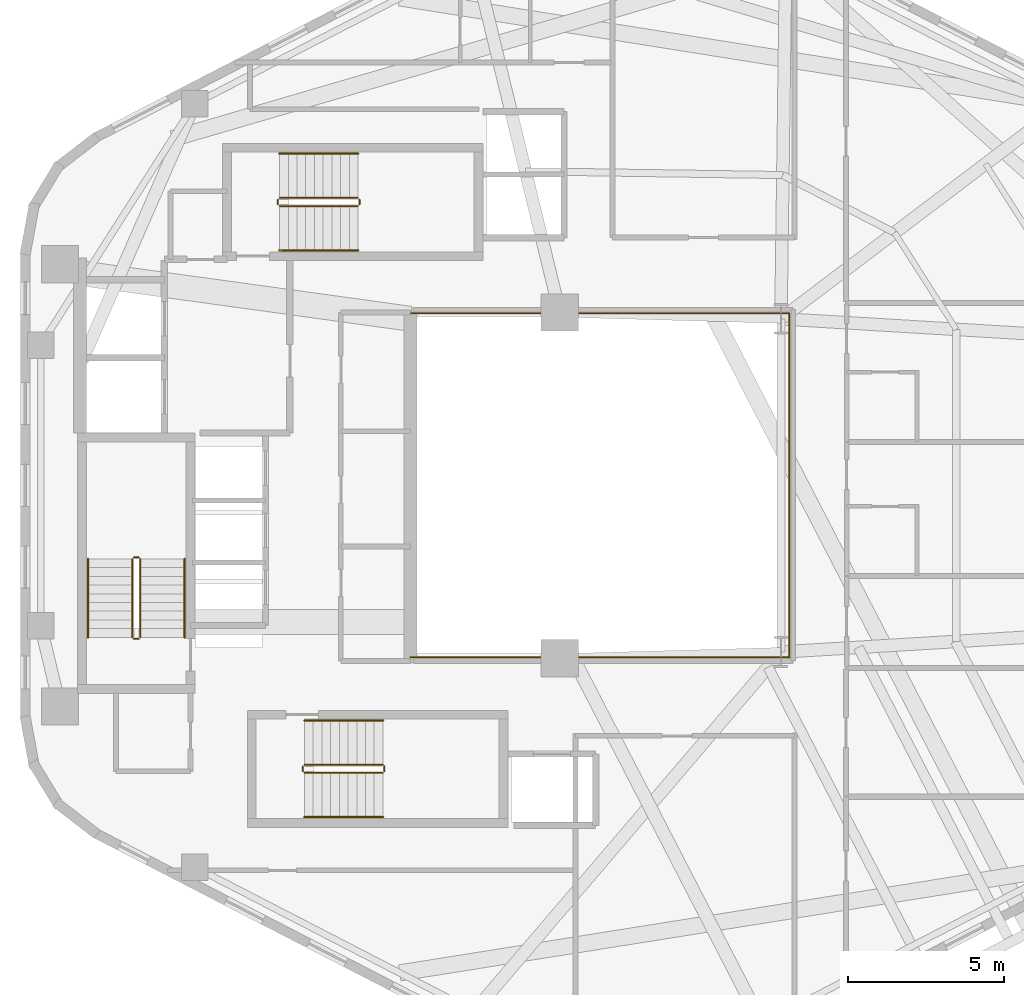
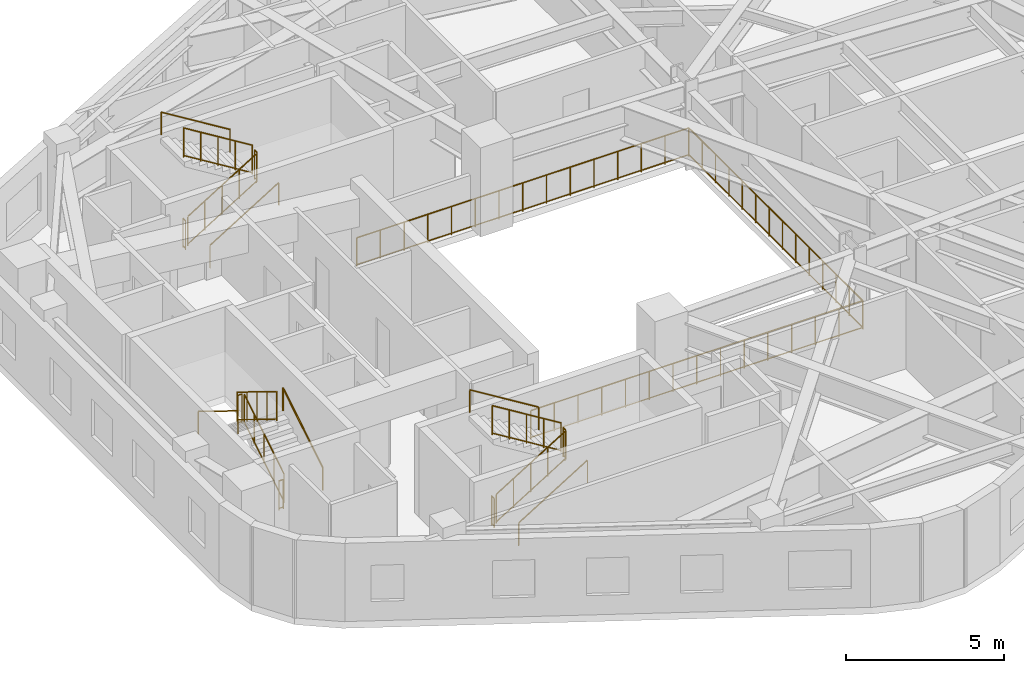
# One storey, part 7 of 7: 19 railings.
"""IFC4 building model written with IfcOpenShell, lengths in metres."""

import ifcopenshell
import ifcopenshell.guid

model = None  # the IFC model being written
_history = None  # IfcOwnerHistory: only IFC2X3 demands one
_inside = {}  # id of a spatial element -> (the spatial element, [elements in it])
_under = {}  # id of a project, library or spatial element -> (it, [spatial elements below it])
_declared = {}  # id of a project -> (the project, [libraries it declares])
_typed = {}  # id of a type object -> (the type object, [elements of that type])
_made_of = {}  # id of a material, layer set ... -> (it, [elements and type objects made of it])


def new_model(schema):
    """Start an empty IFC model of exactly this schema.

    Asked for "IFC4X3", IfcOpenShell would pick the latest addendum, in which some entities
    have other attributes; the version numbers below select the first issue.
    IFC2X3 requires an IfcOwnerHistory on every rooted entity: one is made here for all.
    """
    global model, _history
    if schema == "IFC4X3":
        model = ifcopenshell.file(schema_version=(4, 3, 0, 0))
    else:
        model = ifcopenshell.file(schema=schema)
    _inside.clear()
    _under.clear()
    _declared.clear()
    _typed.clear()
    _made_of.clear()
    _history = None
    if model.schema == "IFC2X3":
        org = make("IfcOrganization", Name="unknown")
        user = make(
            "IfcPersonAndOrganization",
            ThePerson=make("IfcPerson", FamilyName="unknown"),
            TheOrganization=org,
        )
        app = make(
            "IfcApplication",
            ApplicationDeveloper=org,
            Version="unknown",
            ApplicationFullName="unknown",
            ApplicationIdentifier="unknown",
        )
        _history = make(
            "IfcOwnerHistory",
            OwningUser=user,
            OwningApplication=app,
            ChangeAction="ADDED",
            CreationDate=0,
        )
    return model


def make(cls, **values):
    """One entity of the class cls with the attributes given. An attribute that is None is left unset."""
    return model.create_entity(
        cls, **{name: value for name, value in values.items() if value is not None}
    )


def rooted(cls, **values):
    """An entity with a GlobalId (a new one), such as an element, a storey or a relation."""
    return make(cls, GlobalId=ifcopenshell.guid.new(), OwnerHistory=_history, **values)


def si_unit(unit_type, name, prefix=None):
    """IfcSIUnit, for example si_unit("LENGTHUNIT", "METRE", prefix="MILLI")."""
    return make("IfcSIUnit", UnitType=unit_type, Prefix=prefix, Name=name)


def assignment(units):
    """IfcUnitAssignment: the units of a project."""
    return None if units is None else make("IfcUnitAssignment", Units=units)


def point(xyz):
    """IfcCartesianPoint."""
    return None if xyz is None else make("IfcCartesianPoint", Coordinates=xyz)


def direction(xyz):
    """IfcDirection."""
    return None if xyz is None else make("IfcDirection", DirectionRatios=xyz)


def frame(location, z_axis=None, x_axis=None):
    """IfcAxis2Placement3D, a coordinate frame: its origin and axes. An axis left out is left unset."""
    return make(
        "IfcAxis2Placement3D",
        Location=point(location),
        Axis=direction(z_axis),
        RefDirection=direction(x_axis),
    )


def frame_2d(location, x_axis=None):
    """IfcAxis2Placement2D, a coordinate frame in the plane: its origin and x axis."""
    return make(
        "IfcAxis2Placement2D", Location=point(location), RefDirection=direction(x_axis)
    )


def origin():
    """The frame at (0, 0, 0) with its axes left unset."""
    return frame((0.0, 0.0, 0.0))


def origin_2d():
    """The frame at (0, 0) in the plane with its x axis left unset."""
    return frame_2d((0.0, 0.0))


def place(relative_to, where):
    """IfcLocalPlacement: puts the frame where relative to a parent placement (None: the world)."""
    return make(
        "IfcLocalPlacement", PlacementRelTo=relative_to, RelativePlacement=where
    )


def context(
    kind, dimensions, precision=None, world=None, true_north=None, identifier=None
):
    """IfcGeometricRepresentationContext, for example the 3D "Model" context."""
    return make(
        "IfcGeometricRepresentationContext",
        ContextIdentifier=identifier,
        ContextType=kind,
        CoordinateSpaceDimension=dimensions,
        Precision=precision,
        WorldCoordinateSystem=world,
        TrueNorth=true_north,
    )


def subcontext(parent, identifier, kind, view, scale=None):
    """IfcGeometricRepresentationSubContext, for example "Body" below "Model"."""
    return make(
        "IfcGeometricRepresentationSubContext",
        ContextIdentifier=identifier,
        ContextType=kind,
        ParentContext=parent,
        TargetScale=scale,
        TargetView=view,
    )


def project(units=None, contexts=None):
    """IfcProject with its units and contexts."""
    return rooted(
        "IfcProject",
        Name="project",
        RepresentationContexts=contexts,
        UnitsInContext=assignment(units),
    )


def spatial(cls, under=None, at=None, **own):
    """A site, building, storey or space (cls), placed at a placement, below another one or the project."""
    s = rooted(cls, ObjectPlacement=at, **own)
    if under is not None:
        _under.setdefault(under.id(), (under, []))[1].append(s)
    return s


def profile(cls, at=None, kind="AREA", **sizes):
    """A parametric profile (cls). Its sizes go by their IFC names, for example OverallWidth=200.0."""
    return make(cls, ProfileType=kind, Position=at, **sizes)


def circle(**sizes):
    """IfcCircleProfileDef."""
    return profile("IfcCircleProfileDef", **sizes)


def extrude(swept, where, along, depth):
    """IfcExtrudedAreaSolid: the profile swept, set in the frame where, extruded along a direction by depth."""
    return make(
        "IfcExtrudedAreaSolid",
        SweptArea=swept,
        Position=where,
        ExtrudedDirection=direction(along),
        Depth=depth,
    )


def shape(context_of_items, identifier, shape_type, items):
    """IfcShapeRepresentation: the items that make up one representation, for example the "Body"."""
    return make(
        "IfcShapeRepresentation",
        ContextOfItems=context_of_items,
        RepresentationIdentifier=identifier,
        RepresentationType=shape_type,
        Items=items,
    )


def material(Name=None, Category=None):
    """IfcMaterial."""
    return make("IfcMaterial", Name=Name, Category=Category)


def made_of(thing, what):
    """Note that an element or type object is made of a material, layer set ...; save() writes the relation."""
    if what is not None:
        _made_of.setdefault(what.id(), (what, []))[1].append(thing)
    return thing


def type_object(cls, material=None, **own):
    """A type object (cls), such as IfcWallType, which elements share."""
    return made_of(rooted(cls, **own), material)


def element(
    cls,
    number,
    at=None,
    inside=None,
    cuts=None,
    type_object=None,
    material=None,
    context=None,
    identifier="Body",
    shape_type=None,
    held_by="IfcProductDefinitionShape",
    body=None,
    shapes=None,
    **own,
):
    """One element of the class cls, such as IfcWall. Its Tag is "e" and its number.

    at: its placement. inside: the storey or other place that contains it. cuts: it is an
    opening in that element (IfcRelVoidsElement). A single representation is given by context,
    identifier, shape_type and body (its items); several are given by shapes. held_by: the class
    of the entity that holds the representations. save() writes the other relations.
    """
    e = rooted(cls, Tag="e%d" % number, ObjectPlacement=at, **own)
    if body is not None:
        shapes = [shape(context, identifier, shape_type, body)]
    if shapes is not None:
        e.Representation = make(held_by, Representations=shapes)
    if inside is not None:
        _inside.setdefault(inside.id(), (inside, []))[1].append(e)
    if cuts is not None:
        rooted(
            "IfcRelVoidsElement", RelatingBuildingElement=cuts, RelatedOpeningElement=e
        )
    if type_object is not None:
        _typed.setdefault(type_object.id(), (type_object, []))[1].append(e)
    return made_of(e, material)


def aggregate(whole, parts):
    """IfcRelAggregates: a whole, such as a stair, and the parts it consists of."""
    return rooted("IfcRelAggregates", RelatingObject=whole, RelatedObjects=parts)


def save(model, path):
    """Write the relations noted so far, then the file.

    IfcRelAggregates (storeys below a building ...), IfcRelContainedInSpatialStructure (elements
    in a storey), IfcRelDefinesByType, IfcRelAssociatesMaterial and IfcRelDeclares: one each for
    every whole, place, type object, material and project.
    """
    for whole, parts in _under.values():
        aggregate(whole, parts)
    for where, things in _inside.values():
        rooted(
            "IfcRelContainedInSpatialStructure",
            RelatedElements=things,
            RelatingStructure=where,
        )
    for kind, things in _typed.values():
        rooted("IfcRelDefinesByType", RelatedObjects=things, RelatingType=kind)
    for what, things in _made_of.values():
        rooted("IfcRelAssociatesMaterial", RelatedObjects=things, RelatingMaterial=what)
    for by, libraries in _declared.values():
        rooted("IfcRelDeclares", RelatingContext=by, RelatedDefinitions=libraries)
    model.write(path)


model = new_model("IFC4")

# Units and contexts
model_context = context("Model", 3, precision=1e-05, world=origin(), true_north=direction((0.0, 1.0)))
body_context = subcontext(model_context, "Body", "Model", "MODEL_VIEW")
ifc_project = project(units=[si_unit("LENGTHUNIT", "METRE"), si_unit("AREAUNIT", "SQUARE_METRE"), si_unit("VOLUMEUNIT", "CUBIC_METRE"), si_unit("PLANEANGLEUNIT", "RADIAN"), si_unit("MASSUNIT", "GRAM", prefix="KILO"), si_unit("THERMODYNAMICTEMPERATUREUNIT", "KELVIN"), si_unit("POWERUNIT", "WATT")], contexts=[model_context])

# Site, building, storey
site_placement = place(None, origin())
site = spatial("IfcSite", under=ifc_project, at=site_placement, CompositionType="ELEMENT")
building_placement = place(site_placement, origin())
building = spatial("IfcBuilding", under=site, at=building_placement, Name="Skarre Station Tower", CompositionType="ELEMENT")
storey_placement = place(building_placement, frame((0.0, 0.0, 217.14990234375)))
storey = spatial("IfcBuildingStorey", under=building, at=storey_placement, Name="L59", CompositionType="ELEMENT", Elevation=217.14990234375)

# Railings
ifc_material_1 = material(Name="Bronze Anodized Steel & Laminated Glass Balustrade", Category="steel")
railing_type_1 = type_object("IfcRailingType", Name="Atrium Void & Mezzanine Guard Balustrade 1120", PredefinedType="GUARDRAIL", material=ifc_material_1)
railing_1_placement = place(storey_placement, frame((27.550048828125, 18.47998046875, 0.0)))
element("IfcRailing", 1, at=railing_1_placement, inside=storey, type_object=railing_type_1, Name="L59 Atrium Void Guard Balustrade", PredefinedType="GUARDRAIL", context=body_context, shape_type="SweptSolid", body=[
    extrude(circle(Radius=0.02392578125, at=origin_2d()), frame((0.0, 0.0, 1.09619140625), z_axis=(1.0, 0.0, 0.0), x_axis=(0.0, 1.0, 0.0)), (0.0, 0.0, 1.0), 12.169921875),
    extrude(circle(Radius=0.02099609375, at=origin_2d()), frame((0.0, 0.0, 0.06005859375), z_axis=(1.0, 0.0, 0.0), x_axis=(0.0, 1.0, 0.0)), (0.0, 0.0, 1.0), 12.169921875),
    extrude(circle(Radius=0.02392578125, at=origin_2d()), frame((12.169921875, 0.0, 1.09619140625), z_axis=(0.0, 1.0, 0.0), x_axis=(-1.0, 0.0, 0.0)), (0.0, 0.0, 1.0), 11.0400390625),
    extrude(circle(Radius=0.02099609375, at=origin_2d()), frame((12.169921875, 0.0, 0.06005859375), z_axis=(0.0, 1.0, 0.0), x_axis=(-1.0, 0.0, 0.0)), (0.0, 0.0, 1.0), 11.0400390625),
    extrude(circle(Radius=0.02392578125, at=origin_2d()), frame((12.169921875, 11.0400390625, 1.09619140625), z_axis=(-1.0, 0.0, 0.0), x_axis=(0.0, -1.0, 0.0)), (0.0, 0.0, 1.0), 12.169921875),
    extrude(circle(Radius=0.02099609375, at=origin_2d()), frame((12.169921875, 11.0400390625, 0.06005859375), z_axis=(-1.0, 0.0, 0.0), x_axis=(0.0, -1.0, 0.0)), (0.0, 0.0, 1.0), 12.169921875),
    extrude(circle(Radius=0.02099609375, at=origin_2d()), origin(), (0.0, 0.0, 1.0), 1.072021484375),
    extrude(circle(Radius=0.02099609375, at=origin_2d()), frame((0.869384765625, 0.0, 0.0)), (0.0, 0.0, 1.0), 1.072021484375),
    extrude(circle(Radius=0.02099609375, at=origin_2d()), frame((1.738525390625, 0.0, 0.0)), (0.0, 0.0, 1.0), 1.072021484375),
    extrude(circle(Radius=0.02099609375, at=origin_2d()), frame((2.60791015625, 0.0, 0.0)), (0.0, 0.0, 1.0), 1.072021484375),
    extrude(circle(Radius=0.02099609375, at=origin_2d()), frame((3.47705078125, 0.0, 0.0)), (0.0, 0.0, 1.0), 1.072021484375),
    extrude(circle(Radius=0.02099609375, at=origin_2d()), frame((4.346435546875, 0.0, 0.0)), (0.0, 0.0, 1.0), 1.072021484375),
    extrude(circle(Radius=0.02099609375, at=origin_2d()), frame((5.215576171875, 0.0, 0.0)), (0.0, 0.0, 1.0), 1.072021484375),
    extrude(circle(Radius=0.02099609375, at=origin_2d()), frame((6.0849609375, 0.0, 0.0)), (0.0, 0.0, 1.0), 1.072021484375),
    extrude(circle(Radius=0.02099609375, at=origin_2d()), frame((6.954345703125, 0.0, 0.0)), (0.0, 0.0, 1.0), 1.072021484375),
    extrude(circle(Radius=0.02099609375, at=origin_2d()), frame((7.823486328125, 0.0, 0.0)), (0.0, 0.0, 1.0), 1.072021484375),
    extrude(circle(Radius=0.02099609375, at=origin_2d()), frame((8.69287109375, 0.0, 0.0)), (0.0, 0.0, 1.0), 1.072021484375),
    extrude(circle(Radius=0.02099609375, at=origin_2d()), frame((9.56201171875, 0.0, 0.0)), (0.0, 0.0, 1.0), 1.072021484375),
    extrude(circle(Radius=0.02099609375, at=origin_2d()), frame((10.431396484375, 0.0, 0.0)), (0.0, 0.0, 1.0), 1.072021484375),
    extrude(circle(Radius=0.02099609375, at=origin_2d()), frame((11.300537109375, 0.0, 0.0)), (0.0, 0.0, 1.0), 1.072021484375),
    extrude(circle(Radius=0.02099609375, at=origin_2d()), frame((12.169921875, 0.0, 0.0)), (0.0, 0.0, 1.0), 1.072021484375),
    extrude(circle(Radius=0.02099609375, at=origin_2d()), frame((12.169921875, 0.84912109375, 0.0)), (0.0, 0.0, 1.0), 1.072021484375),
    extrude(circle(Radius=0.02099609375, at=origin_2d()), frame((12.169921875, 1.698486328125, 0.0)), (0.0, 0.0, 1.0), 1.072021484375),
    extrude(circle(Radius=0.02099609375, at=origin_2d()), frame((12.169921875, 2.547607421875, 0.0)), (0.0, 0.0, 1.0), 1.072021484375),
    extrude(circle(Radius=0.02099609375, at=origin_2d()), frame((12.169921875, 3.39697265625, 0.0)), (0.0, 0.0, 1.0), 1.072021484375),
    extrude(circle(Radius=0.02099609375, at=origin_2d()), frame((12.169921875, 4.24609375, 0.0)), (0.0, 0.0, 1.0), 1.072021484375),
    extrude(circle(Radius=0.02099609375, at=origin_2d()), frame((12.169921875, 5.095458984375, 0.0)), (0.0, 0.0, 1.0), 1.072021484375),
    extrude(circle(Radius=0.02099609375, at=origin_2d()), frame((12.169921875, 5.944580078125, 0.0)), (0.0, 0.0, 1.0), 1.072021484375),
    extrude(circle(Radius=0.02099609375, at=origin_2d()), frame((12.169921875, 6.7939453125, 0.0)), (0.0, 0.0, 1.0), 1.072021484375),
    extrude(circle(Radius=0.02099609375, at=origin_2d()), frame((12.169921875, 7.64306640625, 0.0)), (0.0, 0.0, 1.0), 1.072021484375),
    extrude(circle(Radius=0.02099609375, at=origin_2d()), frame((12.169921875, 8.492431640625, 0.0)), (0.0, 0.0, 1.0), 1.072021484375),
    extrude(circle(Radius=0.02099609375, at=origin_2d()), frame((12.169921875, 9.341552734375, 0.0)), (0.0, 0.0, 1.0), 1.072021484375),
    extrude(circle(Radius=0.02099609375, at=origin_2d()), frame((12.169921875, 10.19091796875, 0.0)), (0.0, 0.0, 1.0), 1.072021484375),
    extrude(circle(Radius=0.02099609375, at=origin_2d()), frame((12.169921875, 11.0400390625, 0.0)), (0.0, 0.0, 1.0), 1.072021484375),
    extrude(circle(Radius=0.02099609375, at=origin_2d()), frame((11.300537109375, 11.0400390625, 0.0)), (0.0, 0.0, 1.0), 1.072021484375),
    extrude(circle(Radius=0.02099609375, at=origin_2d()), frame((10.431396484375, 11.0400390625, 0.0)), (0.0, 0.0, 1.0), 1.072021484375),
    extrude(circle(Radius=0.02099609375, at=origin_2d()), frame((9.56201171875, 11.0400390625, 0.0)), (0.0, 0.0, 1.0), 1.072021484375),
    extrude(circle(Radius=0.02099609375, at=origin_2d()), frame((8.69287109375, 11.0400390625, 0.0)), (0.0, 0.0, 1.0), 1.072021484375),
    extrude(circle(Radius=0.02099609375, at=origin_2d()), frame((7.823486328125, 11.0400390625, 0.0)), (0.0, 0.0, 1.0), 1.072021484375),
    extrude(circle(Radius=0.02099609375, at=origin_2d()), frame((6.954345703125, 11.0400390625, 0.0)), (0.0, 0.0, 1.0), 1.072021484375),
    extrude(circle(Radius=0.02099609375, at=origin_2d()), frame((6.0849609375, 11.0400390625, 0.0)), (0.0, 0.0, 1.0), 1.072021484375),
    extrude(circle(Radius=0.02099609375, at=origin_2d()), frame((5.215576171875, 11.0400390625, 0.0)), (0.0, 0.0, 1.0), 1.072021484375),
    extrude(circle(Radius=0.02099609375, at=origin_2d()), frame((4.346435546875, 11.0400390625, 0.0)), (0.0, 0.0, 1.0), 1.072021484375),
    extrude(circle(Radius=0.02099609375, at=origin_2d()), frame((3.47705078125, 11.0400390625, 0.0)), (0.0, 0.0, 1.0), 1.072021484375),
    extrude(circle(Radius=0.02099609375, at=origin_2d()), frame((2.60791015625, 11.0400390625, 0.0)), (0.0, 0.0, 1.0), 1.072021484375),
    extrude(circle(Radius=0.02099609375, at=origin_2d()), frame((1.738525390625, 11.0400390625, 0.0)), (0.0, 0.0, 1.0), 1.072021484375),
    extrude(circle(Radius=0.02099609375, at=origin_2d()), frame((0.869384765625, 11.0400390625, 0.0)), (0.0, 0.0, 1.0), 1.072021484375),
    extrude(circle(Radius=0.02099609375, at=origin_2d()), frame((0.0, 11.0400390625, 0.0)), (0.0, 0.0, 1.0), 1.072021484375),
])
ifc_material_2 = material(Name="Powder-Coated Tubular Steel", Category="steel")
railing_type_2 = type_object("IfcRailingType", Name="Painted Steel Ramp & Stair Handrail 920", PredefinedType="HANDRAIL", material=ifc_material_2)
railing_2_placement = place(storey_placement, frame((20.300048828125, 19.1201171875, 0.172607421875)))
element("IfcRailing", 2, at=railing_2_placement, inside=storey, type_object=railing_type_2, Name="L59 ST-1 stair handrail 1", PredefinedType="HANDRAIL", context=body_context, shape_type="SweptSolid", body=[
    extrude(circle(Radius=0.02392578125, at=origin_2d()), frame((0.0, 0.0, 0.8759765625), z_axis=(0.0, 0.851377800117, 0.52455299205), x_axis=(-1.0, 0.0, 0.0)), (0.0, 0.0, 1.0), 2.959716796875),
    extrude(circle(Radius=0.02099609375, at=origin_2d()), origin(), (0.0, 0.0, 1.0), 0.851806640625),
    extrude(circle(Radius=0.02099609375, at=origin_2d()), frame((0.0, 2.519775390625, 1.552490234375)), (0.0, 0.0, 1.0), 0.851806640625),
])
railing_3_placement = place(storey_placement, frame((17.199951171875, 21.639892578125, 1.897705078125)))
element("IfcRailing", 3, at=railing_3_placement, inside=storey, type_object=railing_type_2, Name="L59 ST-1 stair handrail 2", PredefinedType="HANDRAIL", context=body_context, shape_type="SweptSolid", body=[
    extrude(circle(Radius=0.02392578125, at=origin_2d()), frame((0.0, 0.0, 0.8759765625), z_axis=(0.0, -0.851377800117, 0.52455299205), x_axis=(1.0, 0.0, 0.0)), (0.0, 0.0, 1.0), 2.959716796875),
    extrude(circle(Radius=0.02099609375, at=origin_2d()), origin(), (0.0, 0.0, 1.0), 0.851806640625),
    extrude(circle(Radius=0.02099609375, at=origin_2d()), frame((0.0, -2.519775390625, 1.552490234375)), (0.0, 0.0, 1.0), 0.851806640625),
])
railing_4_placement = place(storey_placement, frame((24.14990234375, 13.35009765625, 0.172607421875)))
element("IfcRailing", 4, at=railing_4_placement, inside=storey, type_object=railing_type_2, Name="L59 ST-2 stair handrail 1", PredefinedType="HANDRAIL", context=body_context, shape_type="SweptSolid", body=[
    extrude(circle(Radius=0.02392578125, at=origin_2d()), frame((0.0, 0.0, 0.8759765625), z_axis=(0.851400495292, 0.0, 0.524516154772), x_axis=(0.0, 1.0, 0.0)), (0.0, 0.0, 1.0), 2.9599609375),
    extrude(circle(Radius=0.02099609375, at=origin_2d()), origin(), (0.0, 0.0, 1.0), 0.851806640625),
    extrude(circle(Radius=0.02099609375, at=origin_2d()), frame((2.52001953125, 0.0, 1.552490234375)), (0.0, 0.0, 1.0), 0.851806640625),
])
railing_5_placement = place(storey_placement, frame((26.669921875, 16.449951171875, 1.897705078125)))
element("IfcRailing", 5, at=railing_5_placement, inside=storey, type_object=railing_type_2, Name="L59 ST-2 stair handrail 2", PredefinedType="HANDRAIL", context=body_context, shape_type="SweptSolid", body=[
    extrude(circle(Radius=0.02392578125, at=origin_2d()), frame((0.0, 0.0, 0.8759765625), z_axis=(-0.851400495292, 0.0, 0.524516154772), x_axis=(0.0, -1.0, 0.0)), (0.0, 0.0, 1.0), 2.9599609375),
    extrude(circle(Radius=0.02099609375, at=origin_2d()), origin(), (0.0, 0.0, 1.0), 0.851806640625),
    extrude(circle(Radius=0.02099609375, at=origin_2d()), frame((-2.52001953125, 0.0, 1.552490234375)), (0.0, 0.0, 1.0), 0.851806640625),
])
railing_6_placement = place(storey_placement, frame((23.35009765625, 31.550048828125, 0.172607421875)))
element("IfcRailing", 6, at=railing_6_placement, inside=storey, type_object=railing_type_2, Name="L59 ST-3 stair handrail 1", PredefinedType="HANDRAIL", context=body_context, shape_type="SweptSolid", body=[
    extrude(circle(Radius=0.02392578125, at=origin_2d()), frame((0.0, 0.0, 0.8759765625), z_axis=(0.851400495292, 0.0, 0.524516154772), x_axis=(0.0, 1.0, 0.0)), (0.0, 0.0, 1.0), 2.9599609375),
    extrude(circle(Radius=0.02099609375, at=origin_2d()), origin(), (0.0, 0.0, 1.0), 0.851806640625),
    extrude(circle(Radius=0.02099609375, at=origin_2d()), frame((2.52001953125, 0.0, 1.552490234375)), (0.0, 0.0, 1.0), 0.851806640625),
])
railing_7_placement = place(storey_placement, frame((25.8701171875, 34.64990234375, 1.897705078125)))
element("IfcRailing", 7, at=railing_7_placement, inside=storey, type_object=railing_type_2, Name="L59 ST-3 stair handrail 2", PredefinedType="HANDRAIL", context=body_context, shape_type="SweptSolid", body=[
    extrude(circle(Radius=0.02392578125, at=origin_2d()), frame((0.0, 0.0, 0.8759765625), z_axis=(-0.851400495292, 0.0, 0.524516154772), x_axis=(0.0, -1.0, 0.0)), (0.0, 0.0, 1.0), 2.9599609375),
    extrude(circle(Radius=0.02099609375, at=origin_2d()), origin(), (0.0, 0.0, 1.0), 0.851806640625),
    extrude(circle(Radius=0.02099609375, at=origin_2d()), frame((-2.52001953125, 0.0, 1.552490234375)), (0.0, 0.0, 1.0), 0.851806640625),
])
railing_type_3 = type_object("IfcRailingType", Name="Painted Steel Stairwell Guardrail 1100", PredefinedType="GUARDRAIL", material=ifc_material_2)
railing_8_placement = place(storey_placement, frame((18.8798828125, 19.1201171875, 0.172607421875)))
element("IfcRailing", 8, at=railing_8_placement, inside=storey, type_object=railing_type_3, Name="L59 ST-1 stair guard 1", PredefinedType="GUARDRAIL", context=body_context, shape_type="SweptSolid", body=[
    extrude(circle(Radius=0.02392578125, at=origin_2d()), frame((0.0, 0.0, 1.1259765625), z_axis=(0.0, 0.851377800117, 0.52455299205), x_axis=(-1.0, 0.0, 0.0)), (0.0, 0.0, 1.0), 2.959716796875),
    extrude(circle(Radius=0.02099609375, at=origin_2d()), frame((0.0, 0.0, 0.06005859375), z_axis=(0.0, 0.851377800117, 0.52455299205), x_axis=(-1.0, 0.0, 0.0)), (0.0, 0.0, 1.0), 2.959716796875),
    extrude(circle(Radius=0.02099609375, at=origin_2d()), origin(), (0.0, 0.0, 1.0), 1.101806640625),
    extrude(circle(Radius=0.02099609375, at=origin_2d()), frame((0.0, 0.6298828125, 0.38818359375)), (0.0, 0.0, 1.0), 1.101806640625),
    extrude(circle(Radius=0.02099609375, at=origin_2d()), frame((0.0, 1.259765625, 0.7763671875)), (0.0, 0.0, 1.0), 1.101806640625),
    extrude(circle(Radius=0.02099609375, at=origin_2d()), frame((0.0, 1.889892578125, 1.164306640625)), (0.0, 0.0, 1.0), 1.101806640625),
    extrude(circle(Radius=0.02099609375, at=origin_2d()), frame((0.0, 2.519775390625, 1.552490234375)), (0.0, 0.0, 1.0), 1.101806640625),
])
railing_9_placement = place(storey_placement, frame((18.830078125, 21.68994140625, 1.72509765625)))
element("IfcRailing", 9, at=railing_9_placement, inside=storey, type_object=railing_type_3, Name="L59 ST-1 stair guard 2", PredefinedType="GUARDRAIL", context=body_context, shape_type="SweptSolid", body=[
    extrude(circle(Radius=0.02392578125, at=origin_2d()), frame((0.0, 0.0, 1.1259765625), z_axis=(-1.0, 0.0, 0.0), x_axis=(0.0, -1.0, 0.0)), (0.0, 0.0, 1.0), 0.16015625),
    extrude(circle(Radius=0.02099609375, at=origin_2d()), frame((0.0, 0.0, 0.06005859375), z_axis=(-1.0, 0.0, 0.0), x_axis=(0.0, -1.0, 0.0)), (0.0, 0.0, 1.0), 0.16015625),
    extrude(circle(Radius=0.02099609375, at=origin_2d()), origin(), (0.0, 0.0, 1.0), 1.101806640625),
    extrude(circle(Radius=0.02099609375, at=origin_2d()), frame((-0.16015625, 0.0, 0.0)), (0.0, 0.0, 1.0), 1.101806640625),
])
railing_10_placement = place(storey_placement, frame((18.6201171875, 21.639892578125, 1.897705078125)))
element("IfcRailing", 10, at=railing_10_placement, inside=storey, type_object=railing_type_3, Name="L59 ST-1 stair guard 3", PredefinedType="GUARDRAIL", context=body_context, shape_type="SweptSolid", body=[
    extrude(circle(Radius=0.02392578125, at=origin_2d()), frame((0.0, 0.0, 1.1259765625), z_axis=(0.0, -0.851377800117, 0.52455299205), x_axis=(1.0, 0.0, 0.0)), (0.0, 0.0, 1.0), 2.959716796875),
    extrude(circle(Radius=0.02099609375, at=origin_2d()), frame((0.0, 0.0, 0.06005859375), z_axis=(0.0, -0.851377800117, 0.52455299205), x_axis=(1.0, 0.0, 0.0)), (0.0, 0.0, 1.0), 2.959716796875),
    extrude(circle(Radius=0.02099609375, at=origin_2d()), origin(), (0.0, 0.0, 1.0), 1.101806640625),
    extrude(circle(Radius=0.02099609375, at=origin_2d()), frame((0.0, -0.6298828125, 0.38818359375)), (0.0, 0.0, 1.0), 1.101806640625),
    extrude(circle(Radius=0.02099609375, at=origin_2d()), frame((0.0, -1.259765625, 0.7763671875)), (0.0, 0.0, 1.0), 1.101806640625),
    extrude(circle(Radius=0.02099609375, at=origin_2d()), frame((0.0, -1.889892578125, 1.164306640625)), (0.0, 0.0, 1.0), 1.101806640625),
    extrude(circle(Radius=0.02099609375, at=origin_2d()), frame((0.0, -2.519775390625, 1.552490234375)), (0.0, 0.0, 1.0), 1.101806640625),
])
railing_11_placement = place(storey_placement, frame((18.830078125, 19.070068359375, 0.0)))
element("IfcRailing", 11, at=railing_11_placement, inside=storey, type_object=railing_type_3, Name="L59 ST-1 stair guard 4", PredefinedType="GUARDRAIL", context=body_context, shape_type="SweptSolid", body=[
    extrude(circle(Radius=0.02392578125, at=origin_2d()), frame((0.0, 0.0, 1.1259765625), z_axis=(-1.0, 0.0, 0.0), x_axis=(0.0, -1.0, 0.0)), (0.0, 0.0, 1.0), 0.16015625),
    extrude(circle(Radius=0.02099609375, at=origin_2d()), frame((0.0, 0.0, 0.06005859375), z_axis=(-1.0, 0.0, 0.0), x_axis=(0.0, -1.0, 0.0)), (0.0, 0.0, 1.0), 0.16015625),
    extrude(circle(Radius=0.02099609375, at=origin_2d()), origin(), (0.0, 0.0, 1.0), 1.101806640625),
    extrude(circle(Radius=0.02099609375, at=origin_2d()), frame((-0.16015625, 0.0, 0.0)), (0.0, 0.0, 1.0), 1.101806640625),
])
railing_12_placement = place(storey_placement, frame((24.14990234375, 14.77001953125, 0.172607421875)))
element("IfcRailing", 12, at=railing_12_placement, inside=storey, type_object=railing_type_3, Name="L59 ST-2 stair guard 1", PredefinedType="GUARDRAIL", context=body_context, shape_type="SweptSolid", body=[
    extrude(circle(Radius=0.02392578125, at=origin_2d()), frame((0.0, 0.0, 1.1259765625), z_axis=(0.851400495292, 0.0, 0.524516154772), x_axis=(0.0, 1.0, 0.0)), (0.0, 0.0, 1.0), 2.9599609375),
    extrude(circle(Radius=0.02099609375, at=origin_2d()), frame((0.0, 0.0, 0.06005859375), z_axis=(0.851400495292, 0.0, 0.524516154772), x_axis=(0.0, 1.0, 0.0)), (0.0, 0.0, 1.0), 2.9599609375),
    extrude(circle(Radius=0.02099609375, at=origin_2d()), origin(), (0.0, 0.0, 1.0), 1.101806640625),
    extrude(circle(Radius=0.02099609375, at=origin_2d()), frame((0.6298828125, 0.0, 0.38818359375)), (0.0, 0.0, 1.0), 1.101806640625),
    extrude(circle(Radius=0.02099609375, at=origin_2d()), frame((1.260009765625, 0.0, 0.7763671875)), (0.0, 0.0, 1.0), 1.101806640625),
    extrude(circle(Radius=0.02099609375, at=origin_2d()), frame((1.89013671875, 0.0, 1.164306640625)), (0.0, 0.0, 1.0), 1.101806640625),
    extrude(circle(Radius=0.02099609375, at=origin_2d()), frame((2.52001953125, 0.0, 1.552490234375)), (0.0, 0.0, 1.0), 1.101806640625),
])
railing_13_placement = place(storey_placement, frame((26.719970703125, 14.820068359375, 1.72509765625)))
element("IfcRailing", 13, at=railing_13_placement, inside=storey, type_object=railing_type_3, Name="L59 ST-2 stair guard 2", PredefinedType="GUARDRAIL", context=body_context, shape_type="SweptSolid", body=[
    extrude(circle(Radius=0.02392578125, at=origin_2d()), frame((0.0, 0.0, 1.1259765625), z_axis=(0.0, 1.0, 0.0), x_axis=(-1.0, 0.0, 0.0)), (0.0, 0.0, 1.0), 0.159912109375),
    extrude(circle(Radius=0.02099609375, at=origin_2d()), frame((0.0, 0.0, 0.06005859375), z_axis=(0.0, 1.0, 0.0), x_axis=(-1.0, 0.0, 0.0)), (0.0, 0.0, 1.0), 0.159912109375),
    extrude(circle(Radius=0.02099609375, at=origin_2d()), origin(), (0.0, 0.0, 1.0), 1.101806640625),
    extrude(circle(Radius=0.02099609375, at=origin_2d()), frame((0.0, 0.159912109375, 0.0)), (0.0, 0.0, 1.0), 1.101806640625),
])
railing_14_placement = place(storey_placement, frame((26.669921875, 15.030029296875, 1.897705078125)))
element("IfcRailing", 14, at=railing_14_placement, inside=storey, type_object=railing_type_3, Name="L59 ST-2 stair guard 3", PredefinedType="GUARDRAIL", context=body_context, shape_type="SweptSolid", body=[
    extrude(circle(Radius=0.02392578125, at=origin_2d()), frame((0.0, 0.0, 1.1259765625), z_axis=(-0.851400495292, 0.0, 0.524516154772), x_axis=(0.0, -1.0, 0.0)), (0.0, 0.0, 1.0), 2.9599609375),
    extrude(circle(Radius=0.02099609375, at=origin_2d()), frame((0.0, 0.0, 0.06005859375), z_axis=(-0.851400495292, 0.0, 0.524516154772), x_axis=(0.0, -1.0, 0.0)), (0.0, 0.0, 1.0), 2.9599609375),
    extrude(circle(Radius=0.02099609375, at=origin_2d()), origin(), (0.0, 0.0, 1.0), 1.101806640625),
    extrude(circle(Radius=0.02099609375, at=origin_2d()), frame((-0.6298828125, 0.0, 0.38818359375)), (0.0, 0.0, 1.0), 1.101806640625),
    extrude(circle(Radius=0.02099609375, at=origin_2d()), frame((-1.260009765625, 0.0, 0.7763671875)), (0.0, 0.0, 1.0), 1.101806640625),
    extrude(circle(Radius=0.02099609375, at=origin_2d()), frame((-1.89013671875, 0.0, 1.164306640625)), (0.0, 0.0, 1.0), 1.101806640625),
    extrude(circle(Radius=0.02099609375, at=origin_2d()), frame((-2.52001953125, 0.0, 1.552490234375)), (0.0, 0.0, 1.0), 1.101806640625),
])
railing_15_placement = place(storey_placement, frame((24.10009765625, 14.820068359375, 0.0)))
element("IfcRailing", 15, at=railing_15_placement, inside=storey, type_object=railing_type_3, Name="L59 ST-2 stair guard 4", PredefinedType="GUARDRAIL", context=body_context, shape_type="SweptSolid", body=[
    extrude(circle(Radius=0.02392578125, at=origin_2d()), frame((0.0, 0.0, 1.1259765625), z_axis=(0.0, 1.0, 0.0), x_axis=(-1.0, 0.0, 0.0)), (0.0, 0.0, 1.0), 0.159912109375),
    extrude(circle(Radius=0.02099609375, at=origin_2d()), frame((0.0, 0.0, 0.06005859375), z_axis=(0.0, 1.0, 0.0), x_axis=(-1.0, 0.0, 0.0)), (0.0, 0.0, 1.0), 0.159912109375),
    extrude(circle(Radius=0.02099609375, at=origin_2d()), origin(), (0.0, 0.0, 1.0), 1.101806640625),
    extrude(circle(Radius=0.02099609375, at=origin_2d()), frame((0.0, 0.159912109375, 0.0)), (0.0, 0.0, 1.0), 1.101806640625),
])
railing_16_placement = place(storey_placement, frame((23.35009765625, 32.969970703125, 0.172607421875)))
element("IfcRailing", 16, at=railing_16_placement, inside=storey, type_object=railing_type_3, Name="L59 ST-3 stair guard 1", PredefinedType="GUARDRAIL", context=body_context, shape_type="SweptSolid", body=[
    extrude(circle(Radius=0.02392578125, at=origin_2d()), frame((0.0, 0.0, 1.1259765625), z_axis=(0.851400495292, 0.0, 0.524516154772), x_axis=(0.0, 1.0, 0.0)), (0.0, 0.0, 1.0), 2.9599609375),
    extrude(circle(Radius=0.02099609375, at=origin_2d()), frame((0.0, 0.0, 0.06005859375), z_axis=(0.851400495292, 0.0, 0.524516154772), x_axis=(0.0, 1.0, 0.0)), (0.0, 0.0, 1.0), 2.9599609375),
    extrude(circle(Radius=0.02099609375, at=origin_2d()), origin(), (0.0, 0.0, 1.0), 1.101806640625),
    extrude(circle(Radius=0.02099609375, at=origin_2d()), frame((0.6298828125, 0.0, 0.38818359375)), (0.0, 0.0, 1.0), 1.101806640625),
    extrude(circle(Radius=0.02099609375, at=origin_2d()), frame((1.260009765625, 0.0, 0.7763671875)), (0.0, 0.0, 1.0), 1.101806640625),
    extrude(circle(Radius=0.02099609375, at=origin_2d()), frame((1.89013671875, 0.0, 1.164306640625)), (0.0, 0.0, 1.0), 1.101806640625),
    extrude(circle(Radius=0.02099609375, at=origin_2d()), frame((2.52001953125, 0.0, 1.552490234375)), (0.0, 0.0, 1.0), 1.101806640625),
])
railing_17_placement = place(storey_placement, frame((25.919921875, 33.02001953125, 1.72509765625)))
element("IfcRailing", 17, at=railing_17_placement, inside=storey, type_object=railing_type_3, Name="L59 ST-3 stair guard 2", PredefinedType="GUARDRAIL", context=body_context, shape_type="SweptSolid", body=[
    extrude(circle(Radius=0.02392578125, at=origin_2d()), frame((0.0, 0.0, 1.1259765625), z_axis=(0.0, 1.0, 0.0), x_axis=(-1.0, 0.0, 0.0)), (0.0, 0.0, 1.0), 0.159912109375),
    extrude(circle(Radius=0.02099609375, at=origin_2d()), frame((0.0, 0.0, 0.06005859375), z_axis=(0.0, 1.0, 0.0), x_axis=(-1.0, 0.0, 0.0)), (0.0, 0.0, 1.0), 0.159912109375),
    extrude(circle(Radius=0.02099609375, at=origin_2d()), origin(), (0.0, 0.0, 1.0), 1.101806640625),
    extrude(circle(Radius=0.02099609375, at=origin_2d()), frame((0.0, 0.159912109375, 0.0)), (0.0, 0.0, 1.0), 1.101806640625),
])
railing_18_placement = place(storey_placement, frame((25.8701171875, 33.22998046875, 1.897705078125)))
element("IfcRailing", 18, at=railing_18_placement, inside=storey, type_object=railing_type_3, Name="L59 ST-3 stair guard 3", PredefinedType="GUARDRAIL", context=body_context, shape_type="SweptSolid", body=[
    extrude(circle(Radius=0.02392578125, at=origin_2d()), frame((0.0, 0.0, 1.1259765625), z_axis=(-0.851400495292, 0.0, 0.524516154772), x_axis=(0.0, -1.0, 0.0)), (0.0, 0.0, 1.0), 2.9599609375),
    extrude(circle(Radius=0.02099609375, at=origin_2d()), frame((0.0, 0.0, 0.06005859375), z_axis=(-0.851400495292, 0.0, 0.524516154772), x_axis=(0.0, -1.0, 0.0)), (0.0, 0.0, 1.0), 2.9599609375),
    extrude(circle(Radius=0.02099609375, at=origin_2d()), origin(), (0.0, 0.0, 1.0), 1.101806640625),
    extrude(circle(Radius=0.02099609375, at=origin_2d()), frame((-0.6298828125, 0.0, 0.38818359375)), (0.0, 0.0, 1.0), 1.101806640625),
    extrude(circle(Radius=0.02099609375, at=origin_2d()), frame((-1.260009765625, 0.0, 0.7763671875)), (0.0, 0.0, 1.0), 1.101806640625),
    extrude(circle(Radius=0.02099609375, at=origin_2d()), frame((-1.89013671875, 0.0, 1.164306640625)), (0.0, 0.0, 1.0), 1.101806640625),
    extrude(circle(Radius=0.02099609375, at=origin_2d()), frame((-2.52001953125, 0.0, 1.552490234375)), (0.0, 0.0, 1.0), 1.101806640625),
])
railing_19_placement = place(storey_placement, frame((23.300048828125, 33.02001953125, 0.0)))
element("IfcRailing", 19, at=railing_19_placement, inside=storey, type_object=railing_type_3, Name="L59 ST-3 stair guard 4", PredefinedType="GUARDRAIL", context=body_context, shape_type="SweptSolid", body=[
    extrude(circle(Radius=0.02392578125, at=origin_2d()), frame((0.0, 0.0, 1.1259765625), z_axis=(0.0, 1.0, 0.0), x_axis=(-1.0, 0.0, 0.0)), (0.0, 0.0, 1.0), 0.159912109375),
    extrude(circle(Radius=0.02099609375, at=origin_2d()), frame((0.0, 0.0, 0.06005859375), z_axis=(0.0, 1.0, 0.0), x_axis=(-1.0, 0.0, 0.0)), (0.0, 0.0, 1.0), 0.159912109375),
    extrude(circle(Radius=0.02099609375, at=origin_2d()), origin(), (0.0, 0.0, 1.0), 1.101806640625),
    extrude(circle(Radius=0.02099609375, at=origin_2d()), frame((0.0, 0.159912109375, 0.0)), (0.0, 0.0, 1.0), 1.101806640625),
])

save(model, "model.ifc")
